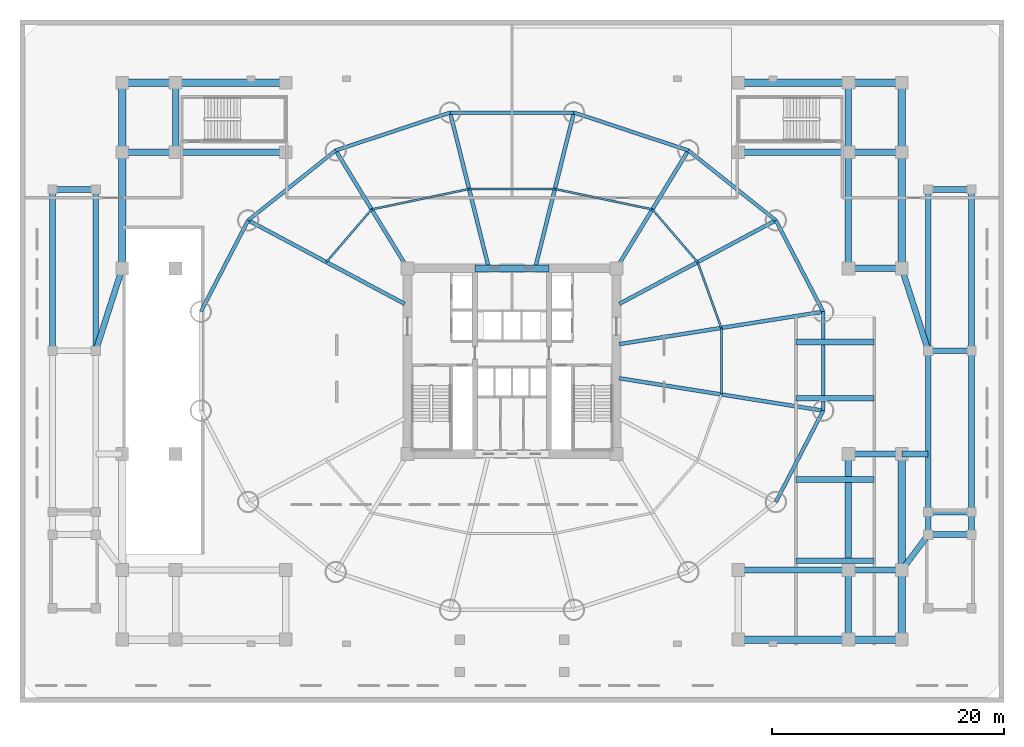
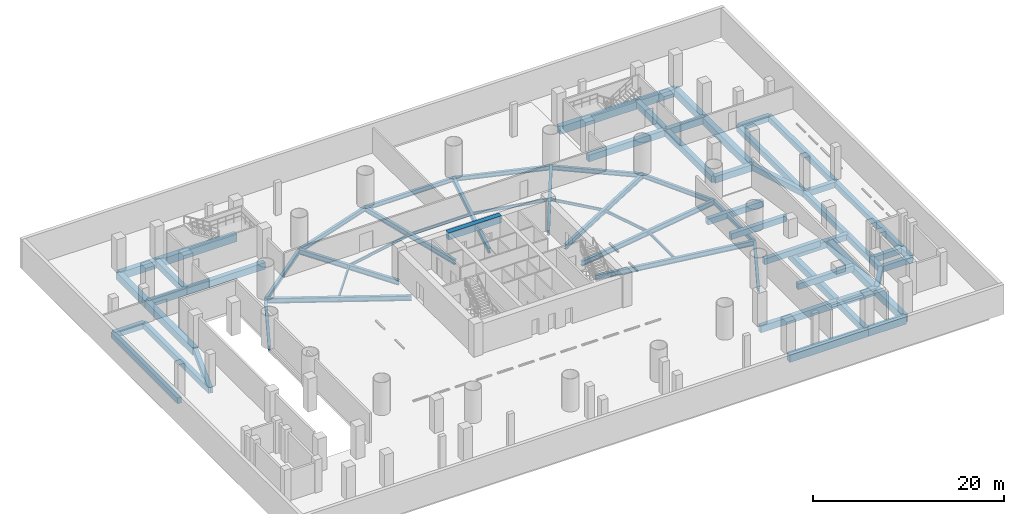
# One storey, part 2 of 11: 71 beams.
"""IFC4 building model written with IfcOpenShell, lengths in metres."""

from ifc_helpers import new_model, si_unit, direction, frame, origin, origin_2d, place, context, subcontext, project, spatial, rectangle, i_section, extrude, material, material_profile, profile_set, type_object, element, save


model = new_model("IFC4")

# Units and contexts
model_context = context("Model", 3, precision=1e-05, world=origin(), true_north=direction((-0.2419218956, 0.970295726276)))
body_context = subcontext(model_context, "Body", "Model", "MODEL_VIEW")
ifc_project = project(units=[si_unit("LENGTHUNIT", "METRE"), si_unit("AREAUNIT", "SQUARE_METRE"), si_unit("VOLUMEUNIT", "CUBIC_METRE"), si_unit("PLANEANGLEUNIT", "RADIAN"), si_unit("MASSUNIT", "GRAM", prefix="KILO")], contexts=[model_context])

# Site, building, storey
site_placement = place(None, origin())
site = spatial("IfcSite", under=ifc_project, at=site_placement, CompositionType="ELEMENT")
building_placement = place(site_placement, origin())
building = spatial("IfcBuilding", under=site, at=building_placement, Name="Cobrevalo Terracotta Tower", CompositionType="ELEMENT")
storey_placement = place(building_placement, frame((0.0, 0.0, -4.199951171875)))
storey = spatial("IfcBuildingStorey", under=building, at=storey_placement, Name="B01", CompositionType="ELEMENT", Elevation=-4.199951171875)

# Beams
ifc_material_1 = material(Name="Concrete C60", Category="concrete")
ifc_material_profile_1 = material_profile(ifc_material_1, rectangle(XDim=0.60009765625, YDim=0.89990234375, at=origin_2d()), Name="RC CB 600x900")
ifc_profile_set_1 = profile_set([ifc_material_profile_1], Name="Concrete C60")
beam_type_1 = type_object("IfcBeamType", Name="Structural Beam RC CB 600x900 (Concrete C60)", PredefinedType="BEAM", material=ifc_profile_set_1)
beam_1_placement = place(storey_placement, frame((34.800048828125, 34.800048828125, 3.329833984375), z_axis=(1.0, 0.0, 0.0), x_axis=(0.0, 1.0, 0.0)))
element("IfcBeam", 1, at=beam_1_placement, inside=storey, type_object=beam_type_1, Name="B01 core coupling beam 2", PredefinedType="BEAM", context=body_context, shape_type="SweptSolid", body=[
    extrude(rectangle(XDim=0.60009765625, YDim=0.89990234375, at=origin_2d()), origin(), (0.0, 0.0, 1.0), 6.39990234375),
])
ifc_material_2 = material(Name="Steel S355", Category="steel")
ifc_material_profile_2 = material_profile(ifc_material_2, i_section(OverallWidth=0.3291015625, OverallDepth=0.635009765625, WebThickness=0.017822265625, FlangeThickness=0.031005859375, at=origin_2d()), Name="W 610x241")
ifc_profile_set_2 = profile_set([ifc_material_profile_2], Name="Steel S355")
beam_type_2 = type_object("IfcBeamType", Name="Structural Beam W 610x241 (Steel S355)", PredefinedType="BEAM", material=ifc_profile_set_2)
beam_2_placement = place(storey_placement, frame((64.824462890625, 31.062744140625, -0.637451171875), z_axis=(-0.987607924622, -0.156941349628, 0.0), x_axis=(0.156941349628, -0.987607924622, 0.0)))
element("IfcBeam", 2, at=beam_2_placement, inside=storey, type_object=beam_type_2, Name="B01 radial floor girder 01", PredefinedType="BEAM", context=body_context, shape_type="SweptSolid", body=[
    extrude(i_section(OverallWidth=0.3291015625, OverallDepth=0.635009765625, WebThickness=0.017822265625, FlangeThickness=0.031005859375, at=origin_2d()), origin(), (0.0, 0.0, 1.0), 17.7900390625),
])
beam_3_placement = place(storey_placement, frame((60.74072265625, 38.939208984375, -0.637451171875), z_axis=(-0.88218223571, -0.470908168329, 0.0), x_axis=(0.470908168329, -0.88218223571, 0.0)))
element("IfcBeam", 3, at=beam_3_placement, inside=storey, type_object=beam_type_2, Name="B01 radial floor girder 02", PredefinedType="BEAM", context=body_context, shape_type="SweptSolid", body=[
    extrude(i_section(OverallWidth=0.3291015625, OverallDepth=0.635009765625, WebThickness=0.017822265625, FlangeThickness=0.031005859375, at=origin_2d()), origin(), (0.0, 0.0, 1.0), 15.286865234375),
])
beam_4_placement = place(storey_placement, frame((53.19482421875, 44.967529296875, -0.637451171875), z_axis=(-0.520309892051, -0.853977526773, 0.0), x_axis=(0.853977526773, -0.520309892051, 0.0)))
element("IfcBeam", 4, at=beam_4_placement, inside=storey, type_object=beam_type_2, Name="B01 radial floor girder 03", PredefinedType="BEAM", context=body_context, shape_type="SweptSolid", body=[
    extrude(i_section(OverallWidth=0.3291015625, OverallDepth=0.635009765625, WebThickness=0.017822265625, FlangeThickness=0.031005859375, at=origin_2d()), origin(), (0.0, 0.0, 1.0), 11.906005859375),
])
for number, where, z_axis, x_axis, name in (
    (5, (43.335693359375, 48.230224609375, -0.637451171875), (-0.241596254786, -0.970376859614, 0.0), (0.970376859614, -0.241596254786, 0.0), "B01 radial floor girder 04"),
    (6, (32.664306640625, 48.230224609375, -0.637451171875), (0.241596254786, -0.970376859614, 0.0), (0.970376859614, 0.241596254786, 0.0), "B01 radial floor girder 05"),
):
    element("IfcBeam", number, at=place(storey_placement, frame(where, z_axis=z_axis, x_axis=x_axis)), inside=storey, type_object=beam_type_2, Name=name, PredefinedType="BEAM", context=body_context, shape_type="SweptSolid", body=[
        extrude(i_section(OverallWidth=0.3291015625, OverallDepth=0.635009765625, WebThickness=0.017822265625, FlangeThickness=0.031005859375, at=origin_2d()), origin(), (0.0, 0.0, 1.0), 13.577392578125),
    ])
beam_5_placement = place(storey_placement, frame((22.80517578125, 44.967529296875, -0.637451171875), z_axis=(0.520309892051, -0.853977526773, 0.0), x_axis=(0.853977526773, 0.520309892051, 0.0)))
element("IfcBeam", 7, at=beam_5_placement, inside=storey, type_object=beam_type_2, Name="B01 radial floor girder 06", PredefinedType="BEAM", context=body_context, shape_type="SweptSolid", body=[
    extrude(i_section(OverallWidth=0.3291015625, OverallDepth=0.635009765625, WebThickness=0.017822265625, FlangeThickness=0.031005859375, at=origin_2d()), origin(), (0.0, 0.0, 1.0), 11.906005859375),
])
beam_6_placement = place(storey_placement, frame((15.25927734375, 38.939208984375, -0.637451171875), z_axis=(0.88218223571, -0.470908168329, 0.0), x_axis=(0.470908168329, 0.88218223571, 0.0)))
element("IfcBeam", 8, at=beam_6_placement, inside=storey, type_object=beam_type_2, Name="B01 radial floor girder 07", PredefinedType="BEAM", context=body_context, shape_type="SweptSolid", body=[
    extrude(i_section(OverallWidth=0.3291015625, OverallDepth=0.635009765625, WebThickness=0.017822265625, FlangeThickness=0.031005859375, at=origin_2d()), origin(), (0.0, 0.0, 1.0), 15.286865234375),
])
beam_7_placement = place(storey_placement, frame((64.824462890625, 22.537353515625, -0.637451171875), z_axis=(-0.987607924622, 0.156941349628, 0.0), x_axis=(-0.156941349628, -0.987607924622, 0.0)))
element("IfcBeam", 9, at=beam_7_placement, inside=storey, type_object=beam_type_2, Name="B01 radial floor girder 16", PredefinedType="BEAM", context=body_context, shape_type="SweptSolid", body=[
    extrude(i_section(OverallWidth=0.3291015625, OverallDepth=0.635009765625, WebThickness=0.017822265625, FlangeThickness=0.031005859375, at=origin_2d()), origin(), (0.0, 0.0, 1.0), 17.7900390625),
])
ifc_material_profile_3 = material_profile(ifc_material_2, i_section(OverallWidth=0.1708984375, OverallDepth=0.35498046875, WebThickness=0.007080078125, FlangeThickness=0.01171875, at=origin_2d()), Name="W 360x51")
ifc_profile_set_3 = profile_set([ifc_material_profile_3], Name="Steel S355")
beam_type_3 = type_object("IfcBeamType", Name="Structural Joist W 360x51 (Steel S355)", PredefinedType="JOIST", material=ifc_profile_set_3)
beam_8_placement = place(storey_placement, frame((56.039794921875, 29.666748046875, -0.49755859375), z_axis=(-0.338672151116, 0.940904444701, 0.0), x_axis=(-0.940904444701, -0.338672151116, 0.0)))
element("IfcBeam", 10, at=beam_8_placement, inside=storey, type_object=beam_type_3, Name="B01 circumferential secondary floor joist 01", PredefinedType="JOIST", context=body_context, shape_type="SweptSolid", body=[
    extrude(i_section(OverallWidth=0.1708984375, OverallDepth=0.35498046875, WebThickness=0.007080078125, FlangeThickness=0.01171875, at=origin_2d()), origin(), (0.0, 0.0, 1.0), 6.029296875),
])
beam_9_placement = place(storey_placement, frame((53.997802734375, 35.33984375, -0.49755859375), z_axis=(-0.651328404454, 0.758795960421, 0.0), x_axis=(-0.758795960421, -0.651328404454, 0.0)))
element("IfcBeam", 11, at=beam_9_placement, inside=storey, type_object=beam_type_3, Name="B01 circumferential secondary floor joist 02", PredefinedType="JOIST", context=body_context, shape_type="SweptSolid", body=[
    extrude(i_section(OverallWidth=0.1708984375, OverallDepth=0.35498046875, WebThickness=0.007080078125, FlangeThickness=0.01171875, at=origin_2d()), origin(), (0.0, 0.0, 1.0), 5.98828125),
])
beam_10_placement = place(storey_placement, frame((50.097412109375, 39.8837890625, -0.49755859375), z_axis=(-0.978784523904, 0.204892302848, 0.0), x_axis=(-0.204892302848, -0.978784523904, 0.0)))
element("IfcBeam", 12, at=beam_10_placement, inside=storey, type_object=beam_type_3, Name="B01 circumferential secondary floor joist 03", PredefinedType="JOIST", context=body_context, shape_type="SweptSolid", body=[
    extrude(i_section(OverallWidth=0.1708984375, OverallDepth=0.35498046875, WebThickness=0.007080078125, FlangeThickness=0.01171875, at=origin_2d()), origin(), (0.0, 0.0, 1.0), 8.583984375),
])
beam_11_placement = place(storey_placement, frame((41.695556640625, 41.642578125, -0.49755859375), z_axis=(-1.0, 0.0, 0.0), x_axis=(0.0, -1.0, 0.0)))
element("IfcBeam", 13, at=beam_11_placement, inside=storey, type_object=beam_type_3, Name="B01 circumferential secondary floor joist 04", PredefinedType="JOIST", context=body_context, shape_type="SweptSolid", body=[
    extrude(i_section(OverallWidth=0.1708984375, OverallDepth=0.35498046875, WebThickness=0.007080078125, FlangeThickness=0.01171875, at=origin_2d()), origin(), (0.0, 0.0, 1.0), 7.39111328125),
])
beam_12_placement = place(storey_placement, frame((34.304443359375, 41.642578125, -0.49755859375), z_axis=(-0.978784523904, -0.204892302848, 0.0), x_axis=(0.204892302848, -0.978784523904, 0.0)))
element("IfcBeam", 14, at=beam_12_placement, inside=storey, type_object=beam_type_3, Name="B01 circumferential secondary floor joist 05", PredefinedType="JOIST", context=body_context, shape_type="SweptSolid", body=[
    extrude(i_section(OverallWidth=0.1708984375, OverallDepth=0.35498046875, WebThickness=0.007080078125, FlangeThickness=0.01171875, at=origin_2d()), origin(), (0.0, 0.0, 1.0), 8.583984375),
])
beam_13_placement = place(storey_placement, frame((25.902587890625, 39.8837890625, -0.49755859375), z_axis=(-0.651328404454, -0.758795960421, 0.0), x_axis=(0.758795960421, -0.651328404454, 0.0)))
element("IfcBeam", 15, at=beam_13_placement, inside=storey, type_object=beam_type_3, Name="B01 circumferential secondary floor joist 06", PredefinedType="JOIST", context=body_context, shape_type="SweptSolid", body=[
    extrude(i_section(OverallWidth=0.1708984375, OverallDepth=0.35498046875, WebThickness=0.007080078125, FlangeThickness=0.01171875, at=origin_2d()), origin(), (0.0, 0.0, 1.0), 5.98828125),
])
beam_14_placement = place(storey_placement, frame((56.039794921875, 23.933349609375, -0.49755859375), z_axis=(0.0, 1.0, 0.0), x_axis=(-1.0, 0.0, 0.0)))
element("IfcBeam", 16, at=beam_14_placement, inside=storey, type_object=beam_type_3, Name="B01 circumferential secondary floor joist 16", PredefinedType="JOIST", context=body_context, shape_type="SweptSolid", body=[
    extrude(i_section(OverallWidth=0.1708984375, OverallDepth=0.35498046875, WebThickness=0.007080078125, FlangeThickness=0.01171875, at=origin_2d()), origin(), (0.0, 0.0, 1.0), 5.7333984375),
])
ifc_material_3 = material(Name="Concrete C50", Category="concrete")
ifc_material_profile_4 = material_profile(ifc_material_3, rectangle(XDim=0.64990234375, YDim=0.949951171875, at=origin_2d()), Name="RC BM 650x950")
ifc_profile_set_4 = profile_set([ifc_material_profile_4], Name="Concrete C50")
beam_type_4 = type_object("IfcBeamType", Name="Structural Spandrel RC BM 650x950 (Concrete C50)", PredefinedType="SPANDREL", material=ifc_profile_set_4)
beam_15_placement = place(storey_placement, frame((4.39990234375, 34.800048828125, -0.795166015625), z_axis=(0.0, 1.0, 0.0), x_axis=(-1.0, 0.0, 0.0)))
element("IfcBeam", 17, at=beam_15_placement, inside=storey, type_object=beam_type_4, Name="B01 podium grid beam G1-GE to G1-GF", PredefinedType="SPANDREL", context=body_context, shape_type="SweptSolid", body=[
    extrude(rectangle(XDim=0.64990234375, YDim=0.949951171875, at=origin_2d()), origin(), (0.0, 0.0, 1.0), 10.0),
])
beam_16_placement = place(storey_placement, frame((4.39990234375, 44.800048828125, -0.795166015625), z_axis=(0.0, 1.0, 0.0), x_axis=(-1.0, 0.0, 0.0)))
element("IfcBeam", 18, at=beam_16_placement, inside=storey, type_object=beam_type_4, Name="B01 podium grid beam G1-GF to G1-GG", PredefinedType="SPANDREL", context=body_context, shape_type="SweptSolid", body=[
    extrude(rectangle(XDim=0.64990234375, YDim=0.949951171875, at=origin_2d()), origin(), (0.0, 0.0, 1.0), 6.0),
])
beam_17_placement = place(storey_placement, frame((4.39990234375, 50.800048828125, -0.795166015625), z_axis=(1.0, 0.0, 0.0), x_axis=(0.0, 1.0, 0.0)))
element("IfcBeam", 19, at=beam_17_placement, inside=storey, type_object=beam_type_4, Name="B01 podium grid beam G1-GG to G2-GG", PredefinedType="SPANDREL", context=body_context, shape_type="SweptSolid", body=[
    extrude(rectangle(XDim=0.64990234375, YDim=0.949951171875, at=origin_2d()), origin(), (0.0, 0.0, 1.0), 4.60009765625),
])
for number, where, z_axis, x_axis, name in (
    (20, (9.0, 50.800048828125, -0.795166015625), (1.0, 0.0, 0.0), (0.0, 1.0, 0.0), "B01 podium grid beam G2-GG to G3-GG"),
    (21, (57.5, 2.800048828125, -0.795166015625), (1.0, 0.0, 0.0), (0.0, 1.0, 0.0), "B01 podium grid beam G7-GA to G8-GA"),
    (22, (57.5, 50.800048828125, -0.795166015625), (1.0, 0.0, 0.0), (0.0, 1.0, 0.0), "B01 podium grid beam G7-GG to G8-GG"),
):
    element("IfcBeam", number, at=place(storey_placement, frame(where, z_axis=z_axis, x_axis=x_axis)), inside=storey, type_object=beam_type_4, Name=name, PredefinedType="SPANDREL", context=body_context, shape_type="SweptSolid", body=[
        extrude(rectangle(XDim=0.64990234375, YDim=0.949951171875, at=origin_2d()), origin(), (0.0, 0.0, 1.0), 9.5),
    ])
for number, where, z_axis, x_axis, name in (
    (23, (67.0, 2.800048828125, -0.795166015625), (1.0, 0.0, 0.0), (0.0, 1.0, 0.0), "B01 podium grid beam G8-GA to G9-GA"),
    (24, (67.0, 50.800048828125, -0.795166015625), (1.0, 0.0, 0.0), (0.0, 1.0, 0.0), "B01 podium grid beam G8-GG to G9-GG"),
):
    element("IfcBeam", number, at=place(storey_placement, frame(where, z_axis=z_axis, x_axis=x_axis)), inside=storey, type_object=beam_type_4, Name=name, PredefinedType="SPANDREL", context=body_context, shape_type="SweptSolid", body=[
        extrude(rectangle(XDim=0.64990234375, YDim=0.949951171875, at=origin_2d()), origin(), (0.0, 0.0, 1.0), 4.60009765625),
    ])
beam_18_placement = place(storey_placement, frame((71.60009765625, 2.800048828125, -0.795166015625), z_axis=(0.0, 1.0, 0.0), x_axis=(-1.0, 0.0, 0.0)))
element("IfcBeam", 25, at=beam_18_placement, inside=storey, type_object=beam_type_4, Name="B01 podium grid beam G9-GA to G9-GB", PredefinedType="SPANDREL", context=body_context, shape_type="SweptSolid", body=[
    extrude(rectangle(XDim=0.64990234375, YDim=0.949951171875, at=origin_2d()), origin(), (0.0, 0.0, 1.0), 6.0),
])
for number, where, z_axis, x_axis, name in (
    (26, (71.60009765625, 8.800048828125, -0.795166015625), (0.0, 1.0, 0.0), (-1.0, 0.0, 0.0), "B01 podium grid beam G9-GB to G9-GC"),
    (27, (71.60009765625, 34.800048828125, -0.795166015625), (0.0, 1.0, 0.0), (-1.0, 0.0, 0.0), "B01 podium grid beam G9-GE to G9-GF"),
):
    element("IfcBeam", number, at=place(storey_placement, frame(where, z_axis=z_axis, x_axis=x_axis)), inside=storey, type_object=beam_type_4, Name=name, PredefinedType="SPANDREL", context=body_context, shape_type="SweptSolid", body=[
        extrude(rectangle(XDim=0.64990234375, YDim=0.949951171875, at=origin_2d()), origin(), (0.0, 0.0, 1.0), 10.0),
    ])
beam_19_placement = place(storey_placement, frame((71.60009765625, 44.800048828125, -0.795166015625), z_axis=(0.0, 1.0, 0.0), x_axis=(-1.0, 0.0, 0.0)))
element("IfcBeam", 28, at=beam_19_placement, inside=storey, type_object=beam_type_4, Name="B01 podium grid beam G9-GF to G9-GG", PredefinedType="SPANDREL", context=body_context, shape_type="SweptSolid", body=[
    extrude(rectangle(XDim=0.64990234375, YDim=0.949951171875, at=origin_2d()), origin(), (0.0, 0.0, 1.0), 6.0),
])
ifc_material_profile_5 = material_profile(ifc_material_2, i_section(OverallWidth=0.31201171875, OverallDepth=0.54296875, WebThickness=0.0126953125, FlangeThickness=0.020263671875, at=origin_2d()), Name="W 530x150")
ifc_profile_set_5 = profile_set([ifc_material_profile_5], Name="Steel S355")
beam_type_5 = type_object("IfcBeamType", Name="Structural Spandrel W 530x150 (Steel S355)", PredefinedType="SPANDREL", material=ifc_profile_set_5)
beam_20_placement = place(storey_placement, frame((64.824462890625, 31.062744140625, -0.591552734375), z_axis=(-0.460285838799, 0.88777077368, 0.0), x_axis=(-0.88777077368, -0.460285838799, 0.0)))
element("IfcBeam", 29, at=beam_20_placement, inside=storey, type_object=beam_type_5, Name="B01 perimeter ring spandrel 01", PredefinedType="SPANDREL", context=body_context, shape_type="SweptSolid", body=[
    extrude(i_section(OverallWidth=0.31201171875, OverallDepth=0.54296875, WebThickness=0.0126953125, FlangeThickness=0.020263671875, at=origin_2d()), origin(), (0.0, 0.0, 1.0), 8.8720703125),
])
beam_21_placement = place(storey_placement, frame((60.74072265625, 38.939208984375, -0.591552734375), z_axis=(-0.781292806807, 0.62416468182, 0.0), x_axis=(-0.62416468182, -0.781292806807, 0.0)))
element("IfcBeam", 30, at=beam_21_placement, inside=storey, type_object=beam_type_5, Name="B01 perimeter ring spandrel 02", PredefinedType="SPANDREL", context=body_context, shape_type="SweptSolid", body=[
    extrude(i_section(OverallWidth=0.31201171875, OverallDepth=0.54296875, WebThickness=0.0126953125, FlangeThickness=0.020263671875, at=origin_2d()), origin(), (0.0, 0.0, 1.0), 9.658203125),
])
beam_22_placement = place(storey_placement, frame((53.19482421875, 44.967529296875, -0.591552734375), z_axis=(-0.949365190876, 0.314174687638, 0.0), x_axis=(-0.314174687638, -0.949365190876, 0.0)))
element("IfcBeam", 31, at=beam_22_placement, inside=storey, type_object=beam_type_5, Name="B01 perimeter ring spandrel 03", PredefinedType="SPANDREL", context=body_context, shape_type="SweptSolid", body=[
    extrude(i_section(OverallWidth=0.31201171875, OverallDepth=0.54296875, WebThickness=0.0126953125, FlangeThickness=0.020263671875, at=origin_2d()), origin(), (0.0, 0.0, 1.0), 10.385009765625),
])
beam_23_placement = place(storey_placement, frame((43.335693359375, 48.230224609375, -0.591552734375), z_axis=(-1.0, 0.0, 0.0), x_axis=(0.0, -1.0, 0.0)))
element("IfcBeam", 32, at=beam_23_placement, inside=storey, type_object=beam_type_5, Name="B01 perimeter ring spandrel 04", PredefinedType="SPANDREL", context=body_context, shape_type="SweptSolid", body=[
    extrude(i_section(OverallWidth=0.31201171875, OverallDepth=0.54296875, WebThickness=0.0126953125, FlangeThickness=0.020263671875, at=origin_2d()), origin(), (0.0, 0.0, 1.0), 10.67138671875),
])
beam_24_placement = place(storey_placement, frame((32.664306640625, 48.230224609375, -0.591552734375), z_axis=(-0.949365190876, -0.314174687638, 0.0), x_axis=(0.314174687638, -0.949365190876, 0.0)))
element("IfcBeam", 33, at=beam_24_placement, inside=storey, type_object=beam_type_5, Name="B01 perimeter ring spandrel 05", PredefinedType="SPANDREL", context=body_context, shape_type="SweptSolid", body=[
    extrude(i_section(OverallWidth=0.31201171875, OverallDepth=0.54296875, WebThickness=0.0126953125, FlangeThickness=0.020263671875, at=origin_2d()), origin(), (0.0, 0.0, 1.0), 10.385009765625),
])
beam_25_placement = place(storey_placement, frame((22.80517578125, 44.967529296875, -0.591552734375), z_axis=(-0.781292806807, -0.62416468182, 0.0), x_axis=(0.62416468182, -0.781292806807, 0.0)))
element("IfcBeam", 34, at=beam_25_placement, inside=storey, type_object=beam_type_5, Name="B01 perimeter ring spandrel 06", PredefinedType="SPANDREL", context=body_context, shape_type="SweptSolid", body=[
    extrude(i_section(OverallWidth=0.31201171875, OverallDepth=0.54296875, WebThickness=0.0126953125, FlangeThickness=0.020263671875, at=origin_2d()), origin(), (0.0, 0.0, 1.0), 9.658203125),
])
for number, where, z_axis, x_axis, name in (
    (35, (15.25927734375, 38.939208984375, -0.591552734375), (-0.460285838799, -0.88777077368, 0.0), (0.88777077368, -0.460285838799, 0.0), "B01 perimeter ring spandrel 07"),
    (36, (60.74072265625, 14.660888671875, -0.591552734375), (0.460285838799, 0.88777077368, 0.0), (-0.88777077368, 0.460285838799, 0.0), "B01 perimeter ring spandrel 15"),
):
    element("IfcBeam", number, at=place(storey_placement, frame(where, z_axis=z_axis, x_axis=x_axis)), inside=storey, type_object=beam_type_5, Name=name, PredefinedType="SPANDREL", context=body_context, shape_type="SweptSolid", body=[
        extrude(i_section(OverallWidth=0.31201171875, OverallDepth=0.54296875, WebThickness=0.0126953125, FlangeThickness=0.020263671875, at=origin_2d()), origin(), (0.0, 0.0, 1.0), 8.8720703125),
    ])
beam_26_placement = place(storey_placement, frame((64.824462890625, 22.537353515625, -0.591552734375), z_axis=(0.0, 1.0, 0.0), x_axis=(-1.0, 0.0, 0.0)))
element("IfcBeam", 37, at=beam_26_placement, inside=storey, type_object=beam_type_5, Name="B01 perimeter ring spandrel 16", PredefinedType="SPANDREL", context=body_context, shape_type="SweptSolid", body=[
    extrude(i_section(OverallWidth=0.31201171875, OverallDepth=0.54296875, WebThickness=0.0126953125, FlangeThickness=0.020263671875, at=origin_2d()), origin(), (0.0, 0.0, 1.0), 8.525390625),
])
ifc_material_profile_6 = material_profile(ifc_material_3, rectangle(XDim=0.5, YDim=0.75, at=origin_2d()), Name="RC BM 500x750")
ifc_profile_set_6 = profile_set([ifc_material_profile_6], Name="Concrete C50")
beam_type_6 = type_object("IfcBeamType", Name="Structural T Beam RC BM 500x750 (Concrete C50)", PredefinedType="T_BEAM", material=ifc_profile_set_6)
for number, where, z_axis, x_axis, name in (
    (38, (-1.60009765625, 27.699951171875, -0.695068359375), (0.0, 1.0, 0.0), (-1.0, 0.0, 0.0), "B01 garden wing edge beam W1-2"),
    (39, (2.1201171875, 27.699951171875, -0.695068359375), (0.0, 1.0, 0.0), (-1.0, 0.0, 0.0), "B01 garden wing edge beam W2-2"),
):
    element("IfcBeam", number, at=place(storey_placement, frame(where, z_axis=z_axis, x_axis=x_axis)), inside=storey, type_object=beam_type_6, Name=name, PredefinedType="T_BEAM", context=body_context, shape_type="SweptSolid", body=[
        extrude(rectangle(XDim=0.5, YDim=0.75, at=origin_2d()), origin(), (0.0, 0.0, 1.0), 13.900146484375),
    ])
beam_27_placement = place(storey_placement, frame((-1.60009765625, 41.60009765625, -0.695068359375), z_axis=(1.0, 0.0, 0.0), x_axis=(0.0, 1.0, 0.0)))
element("IfcBeam", 40, at=beam_27_placement, inside=storey, type_object=beam_type_6, Name="B01 garden wing cross beam W2", PredefinedType="T_BEAM", context=body_context, shape_type="SweptSolid", body=[
    extrude(rectangle(XDim=0.5, YDim=0.75, at=origin_2d()), origin(), (0.0, 0.0, 1.0), 3.72021484375),
])
beam_28_placement = place(storey_placement, frame((4.39990234375, 34.800048828125, -0.695068359375), z_axis=(-0.305718790158, -0.952121852151, 0.0), x_axis=(0.952121852151, -0.305718790158, 0.0)))
element("IfcBeam", 41, at=beam_28_placement, inside=storey, type_object=beam_type_6, Name="B01 garden deck tie beam W3", PredefinedType="T_BEAM", context=body_context, shape_type="SweptSolid", body=[
    extrude(rectangle(XDim=0.5, YDim=0.75, at=origin_2d()), origin(), (0.0, 0.0, 1.0), 7.45703125),
])
for number, where, z_axis, x_axis, name in (
    (42, (73.8798828125, 11.85009765625, -0.695068359375), (0.0, 1.0, 0.0), (-1.0, 0.0, 0.0), "B01 garden stair landing side beam E1"),
    (43, (77.60009765625, 11.85009765625, -0.695068359375), (0.0, 1.0, 0.0), (-1.0, 0.0, 0.0), "B01 garden stair landing side beam E2"),
):
    element("IfcBeam", number, at=place(storey_placement, frame(where, z_axis=z_axis, x_axis=x_axis)), inside=storey, type_object=beam_type_6, Name=name, PredefinedType="T_BEAM", context=body_context, shape_type="SweptSolid", body=[
        extrude(rectangle(XDim=0.5, YDim=0.75, at=origin_2d()), origin(), (0.0, 0.0, 1.0), 1.949951171875),
    ])
for number, where, z_axis, x_axis, name in (
    (44, (73.8798828125, 11.85009765625, -0.695068359375), (1.0, 0.0, 0.0), (0.0, 1.0, 0.0), "B01 garden stair shaft header beam ES"),
    (45, (73.8798828125, 13.800048828125, -0.695068359375), (1.0, 0.0, 0.0), (0.0, 1.0, 0.0), "B01 garden stair shaft header beam EN"),
):
    element("IfcBeam", number, at=place(storey_placement, frame(where, z_axis=z_axis, x_axis=x_axis)), inside=storey, type_object=beam_type_6, Name=name, PredefinedType="T_BEAM", context=body_context, shape_type="SweptSolid", body=[
        extrude(rectangle(XDim=0.5, YDim=0.75, at=origin_2d()), origin(), (0.0, 0.0, 1.0), 3.72021484375),
    ])
beam_29_placement = place(storey_placement, frame((73.8798828125, 11.85009765625, -0.695068359375), z_axis=(-0.59869640819, -0.800976036359, 0.0), x_axis=(0.800976036359, -0.59869640819, 0.0)))
element("IfcBeam", 46, at=beam_29_placement, inside=storey, type_object=beam_type_6, Name="B01 garden stair frame tie beam E1", PredefinedType="T_BEAM", context=body_context, shape_type="SweptSolid", body=[
    extrude(rectangle(XDim=0.5, YDim=0.75, at=origin_2d()), origin(), (0.0, 0.0, 1.0), 3.807861328125),
])
beam_30_placement = place(storey_placement, frame((73.8798828125, 13.800048828125, -0.695068359375), z_axis=(0.0, 1.0, 0.0), x_axis=(-1.0, 0.0, 0.0)))
element("IfcBeam", 47, at=beam_30_placement, inside=storey, type_object=beam_type_6, Name="B01 garden wing edge beam E1-1", PredefinedType="T_BEAM", context=body_context, shape_type="SweptSolid", body=[
    extrude(rectangle(XDim=0.5, YDim=0.75, at=origin_2d()), origin(), (0.0, 0.0, 1.0), 13.89990234375),
])
beam_31_placement = place(storey_placement, frame((73.8798828125, 27.699951171875, -0.695068359375), z_axis=(0.0, 1.0, 0.0), x_axis=(-1.0, 0.0, 0.0)))
element("IfcBeam", 48, at=beam_31_placement, inside=storey, type_object=beam_type_6, Name="B01 garden wing edge beam E1-2", PredefinedType="T_BEAM", context=body_context, shape_type="SweptSolid", body=[
    extrude(rectangle(XDim=0.5, YDim=0.75, at=origin_2d()), origin(), (0.0, 0.0, 1.0), 13.900146484375),
])
beam_32_placement = place(storey_placement, frame((77.60009765625, 13.800048828125, -0.695068359375), z_axis=(0.0, 1.0, 0.0), x_axis=(-1.0, 0.0, 0.0)))
element("IfcBeam", 49, at=beam_32_placement, inside=storey, type_object=beam_type_6, Name="B01 garden wing edge beam E2-1", PredefinedType="T_BEAM", context=body_context, shape_type="SweptSolid", body=[
    extrude(rectangle(XDim=0.5, YDim=0.75, at=origin_2d()), origin(), (0.0, 0.0, 1.0), 13.89990234375),
])
beam_33_placement = place(storey_placement, frame((77.60009765625, 27.699951171875, -0.695068359375), z_axis=(0.0, 1.0, 0.0), x_axis=(-1.0, 0.0, 0.0)))
element("IfcBeam", 50, at=beam_33_placement, inside=storey, type_object=beam_type_6, Name="B01 garden wing edge beam E2-2", PredefinedType="T_BEAM", context=body_context, shape_type="SweptSolid", body=[
    extrude(rectangle(XDim=0.5, YDim=0.75, at=origin_2d()), origin(), (0.0, 0.0, 1.0), 13.900146484375),
])
for number, where, z_axis, x_axis, name in (
    (51, (73.8798828125, 27.699951171875, -0.695068359375), (1.0, 0.0, 0.0), (0.0, 1.0, 0.0), "B01 garden wing cross beam E1"),
    (52, (73.8798828125, 41.60009765625, -0.695068359375), (1.0, 0.0, 0.0), (0.0, 1.0, 0.0), "B01 garden wing cross beam E2"),
):
    element("IfcBeam", number, at=place(storey_placement, frame(where, z_axis=z_axis, x_axis=x_axis)), inside=storey, type_object=beam_type_6, Name=name, PredefinedType="T_BEAM", context=body_context, shape_type="SweptSolid", body=[
        extrude(rectangle(XDim=0.5, YDim=0.75, at=origin_2d()), origin(), (0.0, 0.0, 1.0), 3.72021484375),
    ])
beam_34_placement = place(storey_placement, frame((71.60009765625, 18.800048828125, -0.695068359375), z_axis=(1.0, 0.0, 0.0), x_axis=(0.0, 1.0, 0.0)))
element("IfcBeam", 53, at=beam_34_placement, inside=storey, type_object=beam_type_6, Name="B01 garden deck tie beam E2", PredefinedType="T_BEAM", context=body_context, shape_type="SweptSolid", body=[
    extrude(rectangle(XDim=0.5, YDim=0.75, at=origin_2d()), origin(), (0.0, 0.0, 1.0), 2.27978515625),
])
beam_35_placement = place(storey_placement, frame((71.60009765625, 34.800048828125, -0.695068359375), z_axis=(0.305718790158, -0.952121852151, 0.0), x_axis=(0.952121852151, 0.305718790158, 0.0)))
element("IfcBeam", 54, at=beam_35_placement, inside=storey, type_object=beam_type_6, Name="B01 garden deck tie beam E3", PredefinedType="T_BEAM", context=body_context, shape_type="SweptSolid", body=[
    extrude(rectangle(XDim=0.5, YDim=0.75, at=origin_2d()), origin(), (0.0, 0.0, 1.0), 7.45703125),
])
for number, where, z_axis, x_axis, name in (
    (55, (62.47509765625, 28.449951171875, -0.695068359375), (1.0, 0.0, 0.0), (0.0, 1.0, 0.0), "B01 vehicle ramp pocket trimmer beam"),
    (56, (62.47509765625, 23.60009765625, 0.3642578125), (1.0, 0.0, 0.0), (0.0, 1.0, 0.0), "B01 vehicle ramp support beam 1"),
    (57, (62.47509765625, 16.60009765625, 1.4150390625), (1.0, 0.0, 0.0), (0.0, 1.0, 0.0), "B01 vehicle ramp support beam 2"),
    (58, (62.47509765625, 9.60009765625, 2.4658203125), (1.0, 0.0, 0.0), (0.0, 1.0, 0.0), "B01 vehicle ramp support beam 3"),
):
    element("IfcBeam", number, at=place(storey_placement, frame(where, z_axis=z_axis, x_axis=x_axis)), inside=storey, type_object=beam_type_6, Name=name, PredefinedType="T_BEAM", context=body_context, shape_type="SweptSolid", body=[
        extrude(rectangle(XDim=0.5, YDim=0.75, at=origin_2d()), origin(), (0.0, 0.0, 1.0), 6.75),
    ])
ifc_material_profile_7 = material_profile(ifc_material_3, rectangle(XDim=0.550048828125, YDim=0.85009765625, at=origin_2d()), Name="RC BM 550x850")
ifc_profile_set_7 = profile_set([ifc_material_profile_7], Name="Concrete C50")
beam_type_7 = type_object("IfcBeamType", Name="Structural T Beam RC BM 550x850 (Concrete C50)", PredefinedType="T_BEAM", material=ifc_profile_set_7)
beam_36_placement = place(storey_placement, frame((4.39990234375, 44.800048828125, -0.7451171875), z_axis=(1.0, 0.0, 0.0), x_axis=(0.0, 1.0, 0.0)))
element("IfcBeam", 59, at=beam_36_placement, inside=storey, type_object=beam_type_7, Name="B01 podium grid beam G1-GF to G2-GF", PredefinedType="T_BEAM", context=body_context, shape_type="SweptSolid", body=[
    extrude(rectangle(XDim=0.550048828125, YDim=0.85009765625, at=origin_2d()), origin(), (0.0, 0.0, 1.0), 4.60009765625),
])
beam_37_placement = place(storey_placement, frame((9.0, 44.800048828125, -0.7451171875), z_axis=(0.0, 1.0, 0.0), x_axis=(-1.0, 0.0, 0.0)))
element("IfcBeam", 60, at=beam_37_placement, inside=storey, type_object=beam_type_7, Name="B01 podium grid beam G2-GF to G2-GG", PredefinedType="T_BEAM", context=body_context, shape_type="SweptSolid", body=[
    extrude(rectangle(XDim=0.550048828125, YDim=0.85009765625, at=origin_2d()), origin(), (0.0, 0.0, 1.0), 6.0),
])
for number, where, z_axis, x_axis, name in (
    (61, (9.0, 44.800048828125, -0.7451171875), (1.0, 0.0, 0.0), (0.0, 1.0, 0.0), "B01 podium grid beam G2-GF to G3-GF"),
    (62, (57.5, 8.800048828125, -0.7451171875), (1.0, 0.0, 0.0), (0.0, 1.0, 0.0), "B01 podium grid beam G7-GB to G8-GB"),
    (63, (57.5, 44.800048828125, -0.7451171875), (1.0, 0.0, 0.0), (0.0, 1.0, 0.0), "B01 podium grid beam G7-GF to G8-GF"),
):
    element("IfcBeam", number, at=place(storey_placement, frame(where, z_axis=z_axis, x_axis=x_axis)), inside=storey, type_object=beam_type_7, Name=name, PredefinedType="T_BEAM", context=body_context, shape_type="SweptSolid", body=[
        extrude(rectangle(XDim=0.550048828125, YDim=0.85009765625, at=origin_2d()), origin(), (0.0, 0.0, 1.0), 9.5),
    ])
beam_38_placement = place(storey_placement, frame((67.0, 2.800048828125, -0.7451171875), z_axis=(0.0, 1.0, 0.0), x_axis=(-1.0, 0.0, 0.0)))
element("IfcBeam", 64, at=beam_38_placement, inside=storey, type_object=beam_type_7, Name="B01 podium grid beam G8-GA to G8-GB", PredefinedType="T_BEAM", context=body_context, shape_type="SweptSolid", body=[
    extrude(rectangle(XDim=0.550048828125, YDim=0.85009765625, at=origin_2d()), origin(), (0.0, 0.0, 1.0), 6.0),
])
beam_39_placement = place(storey_placement, frame((67.0, 8.800048828125, -0.7451171875), z_axis=(0.0, 1.0, 0.0), x_axis=(-1.0, 0.0, 0.0)))
element("IfcBeam", 65, at=beam_39_placement, inside=storey, type_object=beam_type_7, Name="B01 podium grid beam G8-GB to G8-GC", PredefinedType="T_BEAM", context=body_context, shape_type="SweptSolid", body=[
    extrude(rectangle(XDim=0.550048828125, YDim=0.85009765625, at=origin_2d()), origin(), (0.0, 0.0, 1.0), 10.0),
])
for number, where, z_axis, x_axis, name in (
    (66, (67.0, 8.800048828125, -0.7451171875), (1.0, 0.0, 0.0), (0.0, 1.0, 0.0), "B01 podium grid beam G8-GB to G9-GB"),
    (67, (67.0, 18.800048828125, -0.7451171875), (1.0, 0.0, 0.0), (0.0, 1.0, 0.0), "B01 podium grid beam G8-GC to G9-GC"),
):
    element("IfcBeam", number, at=place(storey_placement, frame(where, z_axis=z_axis, x_axis=x_axis)), inside=storey, type_object=beam_type_7, Name=name, PredefinedType="T_BEAM", context=body_context, shape_type="SweptSolid", body=[
        extrude(rectangle(XDim=0.550048828125, YDim=0.85009765625, at=origin_2d()), origin(), (0.0, 0.0, 1.0), 4.60009765625),
    ])
beam_40_placement = place(storey_placement, frame((67.0, 34.800048828125, -0.7451171875), z_axis=(0.0, 1.0, 0.0), x_axis=(-1.0, 0.0, 0.0)))
element("IfcBeam", 68, at=beam_40_placement, inside=storey, type_object=beam_type_7, Name="B01 podium grid beam G8-GE to G8-GF", PredefinedType="T_BEAM", context=body_context, shape_type="SweptSolid", body=[
    extrude(rectangle(XDim=0.550048828125, YDim=0.85009765625, at=origin_2d()), origin(), (0.0, 0.0, 1.0), 10.0),
])
beam_41_placement = place(storey_placement, frame((67.0, 34.800048828125, -0.7451171875), z_axis=(1.0, 0.0, 0.0), x_axis=(0.0, 1.0, 0.0)))
element("IfcBeam", 69, at=beam_41_placement, inside=storey, type_object=beam_type_7, Name="B01 podium grid beam G8-GE to G9-GE", PredefinedType="T_BEAM", context=body_context, shape_type="SweptSolid", body=[
    extrude(rectangle(XDim=0.550048828125, YDim=0.85009765625, at=origin_2d()), origin(), (0.0, 0.0, 1.0), 4.60009765625),
])
beam_42_placement = place(storey_placement, frame((67.0, 44.800048828125, -0.7451171875), z_axis=(0.0, 1.0, 0.0), x_axis=(-1.0, 0.0, 0.0)))
element("IfcBeam", 70, at=beam_42_placement, inside=storey, type_object=beam_type_7, Name="B01 podium grid beam G8-GF to G8-GG", PredefinedType="T_BEAM", context=body_context, shape_type="SweptSolid", body=[
    extrude(rectangle(XDim=0.550048828125, YDim=0.85009765625, at=origin_2d()), origin(), (0.0, 0.0, 1.0), 6.0),
])
beam_43_placement = place(storey_placement, frame((67.0, 44.800048828125, -0.7451171875), z_axis=(1.0, 0.0, 0.0), x_axis=(0.0, 1.0, 0.0)))
element("IfcBeam", 71, at=beam_43_placement, inside=storey, type_object=beam_type_7, Name="B01 podium grid beam G8-GF to G9-GF", PredefinedType="T_BEAM", context=body_context, shape_type="SweptSolid", body=[
    extrude(rectangle(XDim=0.550048828125, YDim=0.85009765625, at=origin_2d()), origin(), (0.0, 0.0, 1.0), 4.60009765625),
])

save(model, "model.ifc")
